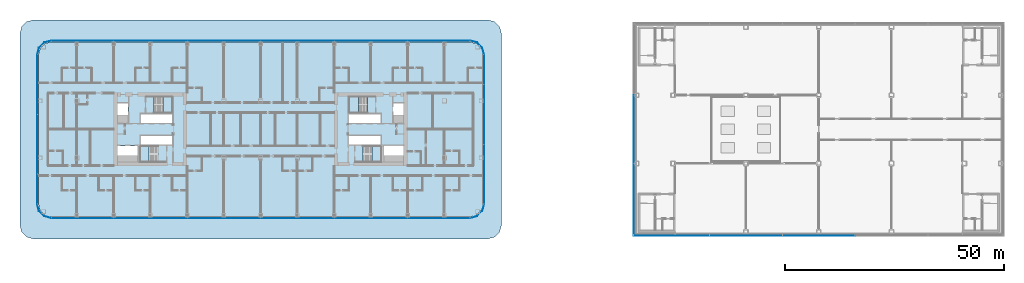
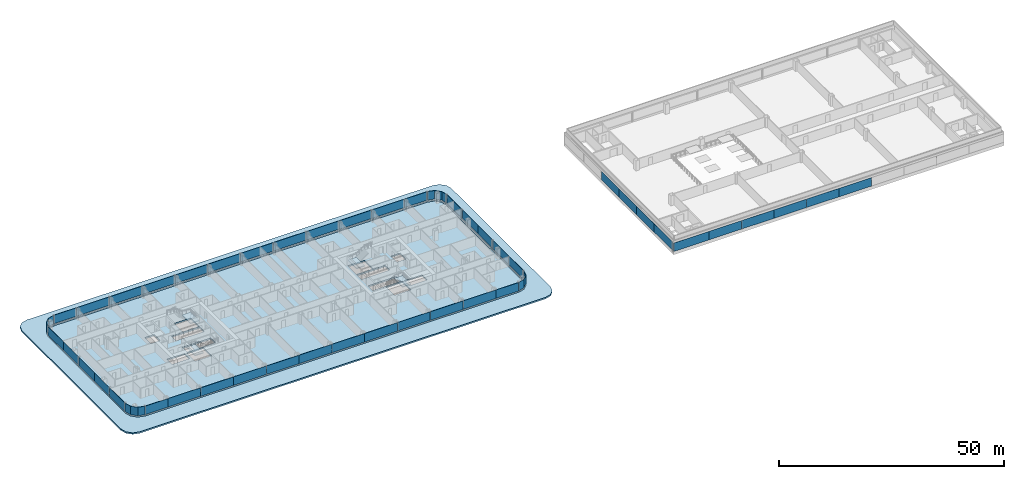
# One storey, part 19 of 42: 48 plates, 6 slabs, 14 elements without a shape of their own.
"""IFC4 building model written with IfcOpenShell, lengths in metres."""

from ifc_helpers import new_model, si_unit, direction, frame, origin, origin_2d, place, context, subcontext, project, spatial, polyline, rectangle, outline, extrude, material, layer, layer_set, type_object, element, aggregate, save


model = new_model("IFC4")

# Units and contexts
model_context = context("Model", 3, precision=1e-05, world=origin(), true_north=direction((0.0, 1.0)))
body_context = subcontext(model_context, "Body", "Model", "MODEL_VIEW")
ifc_project = project(units=[si_unit("LENGTHUNIT", "METRE"), si_unit("AREAUNIT", "SQUARE_METRE"), si_unit("VOLUMEUNIT", "CUBIC_METRE"), si_unit("PLANEANGLEUNIT", "RADIAN"), si_unit("MASSUNIT", "GRAM", prefix="KILO")], contexts=[model_context])

# Site, building, storey
site_placement = place(None, origin())
site = spatial("IfcSite", under=ifc_project, at=site_placement, CompositionType="ELEMENT")
building_placement = place(site_placement, origin())
building = spatial("IfcBuilding", under=site, at=building_placement, Name="Hakoniwa Tower and Hamabe Station Hall", CompositionType="ELEMENT")
storey_placement = place(building_placement, frame((0.0, 0.0, 19.800048828125)))
storey = spatial("IfcBuildingStorey", under=building, at=storey_placement, Name="L04", CompositionType="ELEMENT", Elevation=19.800048828125)

# Stair, slab
ifc_material_1 = material(Name="Concrete C40", Category="concrete")
stair_type = type_object("IfcStairType", Name="ESCAPE STAIR 1800", PredefinedType="HALF_TURN_STAIR", material=ifc_material_1)
stair_1_placement = place(storey_placement, origin())
stair_1 = element("IfcStair", 1, at=stair_1_placement, inside=storey, type_object=stair_type, Name="Escape stair ST-1 L04", PredefinedType="HALF_TURN_STAIR")
ifc_material_2 = material(Name="Concrete C40", Category="concrete")
ifc_layer_1 = layer(ifc_material_2, 0.25)
ifc_layer_set_1 = layer_set([ifc_layer_1], Name="CORE STAIR LANDING 250")
slab_type_1 = type_object("IfcSlabType", Name="CORE STAIR LANDING 250", PredefinedType="LANDING", material=ifc_layer_set_1)
slab_1_placement = place(storey_placement, frame((0.0, 0.0, 1.349853515625)))
slab_1 = element("IfcSlab", 2, at=slab_1_placement, type_object=slab_type_1, Name="ST-1 landing 1", PredefinedType="LANDING", context=body_context, shape_type="SweptSolid", body=[
    extrude(outline(polyline([(-22.320068359375, 3.75), (-20.14990234375, 3.75), (-20.14990234375, 7.5), (-22.320068359375, 7.5), (-22.320068359375, 3.75)])), origin(), (0.0, 0.0, 1.0), 0.25),
])
aggregate(stair_1, [slab_1])

stair_2_placement = place(storey_placement, origin())
stair_2 = element("IfcStair", 3, at=stair_2_placement, inside=storey, type_object=stair_type, Name="Escape stair ST-2 L04", PredefinedType="HALF_TURN_STAIR")
slab_2_placement = place(storey_placement, frame((0.0, 0.0, 1.349853515625)))
slab_2 = element("IfcSlab", 4, at=slab_2_placement, type_object=slab_type_1, Name="ST-2 landing 1", PredefinedType="LANDING", context=body_context, shape_type="SweptSolid", body=[
    extrude(outline(polyline([(-25.47998046875, -7.5), (-27.64990234375, -7.5), (-27.64990234375, -3.75), (-25.47998046875, -3.75), (-25.47998046875, -7.5)])), origin(), (0.0, 0.0, 1.0), 0.25),
])
aggregate(stair_2, [slab_2])

stair_3_placement = place(storey_placement, origin())
stair_3 = element("IfcStair", 5, at=stair_3_placement, inside=storey, type_object=stair_type, Name="Escape stair ST-3 L04", PredefinedType="HALF_TURN_STAIR")
slab_3_placement = place(storey_placement, frame((0.0, 0.0, 1.349853515625)))
slab_3 = element("IfcSlab", 6, at=slab_3_placement, type_object=slab_type_1, Name="ST-3 landing 1", PredefinedType="LANDING", context=body_context, shape_type="SweptSolid", body=[
    extrude(outline(polyline([(22.320068359375, 3.75), (20.14990234375, 3.75), (20.14990234375, 7.5), (22.320068359375, 7.5), (22.320068359375, 3.75)])), origin(), (0.0, 0.0, 1.0), 0.25),
])
aggregate(stair_3, [slab_3])

stair_4_placement = place(storey_placement, origin())
stair_4 = element("IfcStair", 7, at=stair_4_placement, inside=storey, type_object=stair_type, Name="Escape stair ST-4 L04", PredefinedType="HALF_TURN_STAIR")
slab_4_placement = place(storey_placement, frame((0.0, 0.0, 1.349853515625)))
slab_4 = element("IfcSlab", 8, at=slab_4_placement, type_object=slab_type_1, Name="ST-4 landing 1", PredefinedType="LANDING", context=body_context, shape_type="SweptSolid", body=[
    extrude(outline(polyline([(25.47998046875, -7.5), (27.64990234375, -7.5), (27.64990234375, -3.75), (25.47998046875, -3.75), (25.47998046875, -7.5)])), origin(), (0.0, 0.0, 1.0), 0.25),
])
aggregate(stair_4, [slab_4])

# Curtain wall, plates
ifc_material_3 = material(Name="Dark low-e laminated glass", Category="glass")
ifc_layer_2 = layer(ifc_material_3, 0.199951171875)
ifc_layer_set_2 = layer_set([ifc_layer_2], Name="CW-1 UNITISED GUEST")
curtain_wall_type_1 = type_object("IfcCurtainWallType", Name="CW-1 UNITISED GUEST", PredefinedType="NOTDEFINED", material=ifc_layer_set_2)
curtain_wall_1_placement = place(storey_placement, origin())
curtain_wall_1 = element("IfcCurtainWall", 9, at=curtain_wall_1_placement, inside=storey, type_object=curtain_wall_type_1, Name="CW-1 curtain wall", PredefinedType="NOTDEFINED")
ifc_material_4 = material(Name="Dark low-e laminated glass", Category="glass")
ifc_layer_3 = layer(ifc_material_4, 0.028076171875)
ifc_layer_set_3 = layer_set([ifc_layer_3], Name="CW-1 GLASS UNIT")
plate_type_1 = type_object("IfcPlateType", Name="CW-1 GLASS UNIT", PredefinedType="CURTAIN_PANEL", material=ifc_layer_set_3)
plate_1_placement = place(storey_placement, frame((51.0859375, -13.631591796875, 0.35009765625), z_axis=(0.0, 0.0, 1.0), x_axis=(0.0, 1.0, 0.0)))
plate_1 = element("IfcPlate", 10, at=plate_1_placement, type_object=plate_type_1, Name="CW-1 glass unit", PredefinedType="CURTAIN_PANEL", context=body_context, shape_type="SweptSolid", body=[
    extrude(rectangle(XDim=6.7958984375, YDim=0.028076171875, at=origin_2d()), origin(), (0.0, 0.0, 1.0), 2.300048828125),
])
plate_2_placement = place(storey_placement, frame((51.0859375, -6.81591796875, 0.35009765625), z_axis=(0.0, 0.0, 1.0), x_axis=(0.0, 1.0, 0.0)))
plate_2 = element("IfcPlate", 11, at=plate_2_placement, type_object=plate_type_1, Name="CW-1 glass unit", PredefinedType="CURTAIN_PANEL", context=body_context, shape_type="SweptSolid", body=[
    extrude(rectangle(XDim=6.7958984375, YDim=0.028076171875, at=origin_2d()), origin(), (0.0, 0.0, 1.0), 2.300048828125),
])
plate_3_placement = place(storey_placement, frame((51.0859375, 0.0, 0.35009765625), z_axis=(0.0, 0.0, 1.0), x_axis=(0.0, 1.0, 0.0)))
plate_3 = element("IfcPlate", 12, at=plate_3_placement, type_object=plate_type_1, Name="CW-1 glass unit", PredefinedType="CURTAIN_PANEL", context=body_context, shape_type="SweptSolid", body=[
    extrude(rectangle(XDim=6.7958984375, YDim=0.028076171875, at=origin_2d()), origin(), (0.0, 0.0, 1.0), 2.300048828125),
])
plate_4_placement = place(storey_placement, frame((51.0859375, 6.81591796875, 0.35009765625), z_axis=(0.0, 0.0, 1.0), x_axis=(0.0, 1.0, 0.0)))
plate_4 = element("IfcPlate", 13, at=plate_4_placement, type_object=plate_type_1, Name="CW-1 glass unit", PredefinedType="CURTAIN_PANEL", context=body_context, shape_type="SweptSolid", body=[
    extrude(rectangle(XDim=6.7958984375, YDim=0.028076171875, at=origin_2d()), origin(), (0.0, 0.0, 1.0), 2.300048828125),
])
plate_5_placement = place(storey_placement, frame((51.0859375, 13.631591796875, 0.35009765625), z_axis=(0.0, 0.0, 1.0), x_axis=(0.0, 1.0, 0.0)))
plate_5 = element("IfcPlate", 14, at=plate_5_placement, type_object=plate_type_1, Name="CW-1 glass unit", PredefinedType="CURTAIN_PANEL", context=body_context, shape_type="SweptSolid", body=[
    extrude(rectangle(XDim=6.7958984375, YDim=0.028076171875, at=origin_2d()), origin(), (0.0, 0.0, 1.0), 2.300048828125),
])
aggregate(curtain_wall_1, [plate_1, plate_2, plate_3, plate_4, plate_5])

# Curtain wall, plate
curtain_wall_2_placement = place(storey_placement, origin())
curtain_wall_2 = element("IfcCurtainWall", 15, at=curtain_wall_2_placement, inside=storey, type_object=curtain_wall_type_1, Name="CW-1 curtain wall", PredefinedType="NOTDEFINED")
plate_6_placement = place(storey_placement, frame((0.0, 0.0, 0.349853515625)))
plate_6 = element("IfcPlate", 16, at=plate_6_placement, type_object=plate_type_1, Name="CW-1 curved corner unit", PredefinedType="CURTAIN_PANEL", context=body_context, shape_type="SweptSolid", body=[
    extrude(outline(polyline([(51.089599609375, 17.078125), (50.6669921875, 18.6552734375), (49.455322265625, 19.866943359375), (47.878173828125, 20.28955078125), (47.870849609375, 20.2626953125), (49.44091796875, 19.842041015625), (50.641845703125, 18.640869140625), (51.0625, 17.07080078125), (51.089599609375, 17.078125)])), origin(), (0.0, 0.0, 1.0), 2.300048828125),
])
aggregate(curtain_wall_2, [plate_6])

# Curtain wall, plates
curtain_wall_3_placement = place(storey_placement, origin())
curtain_wall_3 = element("IfcCurtainWall", 17, at=curtain_wall_3_placement, inside=storey, type_object=curtain_wall_type_1, Name="CW-1 curtain wall", PredefinedType="NOTDEFINED")
plate_7_placement = place(storey_placement, frame((44.919677734375, 20.285888671875, 0.35009765625), z_axis=(0.0, 0.0, 1.0), x_axis=(-1.0, 0.0, 0.0)))
plate_7 = element("IfcPlate", 18, at=plate_7_placement, type_object=plate_type_1, Name="CW-1 glass unit", PredefinedType="CURTAIN_PANEL", context=body_context, shape_type="SweptSolid", body=[
    extrude(rectangle(XDim=5.819580078125, YDim=0.028076171875, at=origin_2d()), origin(), (0.0, 0.0, 1.0), 2.300048828125),
])
plate_8_placement = place(storey_placement, frame((37.800048828125, 20.285888671875, 0.35009765625), z_axis=(0.0, 0.0, 1.0), x_axis=(-1.0, 0.0, 0.0)))
plate_8 = element("IfcPlate", 19, at=plate_8_placement, type_object=plate_type_1, Name="CW-1 glass unit", PredefinedType="CURTAIN_PANEL", context=body_context, shape_type="SweptSolid", body=[
    extrude(rectangle(XDim=8.3798828125, YDim=0.028076171875, at=origin_2d()), origin(), (0.0, 0.0, 1.0), 2.300048828125),
])
plate_9_placement = place(storey_placement, frame((29.39990234375, 20.285888671875, 0.35009765625), z_axis=(0.0, 0.0, 1.0), x_axis=(-1.0, 0.0, 0.0)))
plate_9 = element("IfcPlate", 20, at=plate_9_placement, type_object=plate_type_1, Name="CW-1 glass unit", PredefinedType="CURTAIN_PANEL", context=body_context, shape_type="SweptSolid", body=[
    extrude(rectangle(XDim=8.3798828125, YDim=0.028076171875, at=origin_2d()), origin(), (0.0, 0.0, 1.0), 2.300048828125),
])
plate_10_placement = place(storey_placement, frame((21.0, 20.285888671875, 0.35009765625), z_axis=(0.0, 0.0, 1.0), x_axis=(-1.0, 0.0, 0.0)))
plate_10 = element("IfcPlate", 21, at=plate_10_placement, type_object=plate_type_1, Name="CW-1 glass unit", PredefinedType="CURTAIN_PANEL", context=body_context, shape_type="SweptSolid", body=[
    extrude(rectangle(XDim=8.3798828125, YDim=0.028076171875, at=origin_2d()), origin(), (0.0, 0.0, 1.0), 2.300048828125),
])
plate_11_placement = place(storey_placement, frame((12.60009765625, 20.285888671875, 0.35009765625), z_axis=(0.0, 0.0, 1.0), x_axis=(-1.0, 0.0, 0.0)))
plate_11 = element("IfcPlate", 22, at=plate_11_placement, type_object=plate_type_1, Name="CW-1 glass unit", PredefinedType="CURTAIN_PANEL", context=body_context, shape_type="SweptSolid", body=[
    extrude(rectangle(XDim=8.3798828125, YDim=0.028076171875, at=origin_2d()), origin(), (0.0, 0.0, 1.0), 2.300048828125),
])
plate_12_placement = place(storey_placement, frame((4.199951171875, 20.285888671875, 0.35009765625), z_axis=(0.0, 0.0, 1.0), x_axis=(-1.0, 0.0, 0.0)))
plate_12 = element("IfcPlate", 23, at=plate_12_placement, type_object=plate_type_1, Name="CW-1 glass unit", PredefinedType="CURTAIN_PANEL", context=body_context, shape_type="SweptSolid", body=[
    extrude(rectangle(XDim=8.3798828125, YDim=0.028076171875, at=origin_2d()), origin(), (0.0, 0.0, 1.0), 2.300048828125),
])
plate_13_placement = place(storey_placement, frame((-4.199951171875, 20.285888671875, 0.35009765625), z_axis=(0.0, 0.0, 1.0), x_axis=(-1.0, 0.0, 0.0)))
plate_13 = element("IfcPlate", 24, at=plate_13_placement, type_object=plate_type_1, Name="CW-1 glass unit", PredefinedType="CURTAIN_PANEL", context=body_context, shape_type="SweptSolid", body=[
    extrude(rectangle(XDim=8.3798828125, YDim=0.028076171875, at=origin_2d()), origin(), (0.0, 0.0, 1.0), 2.300048828125),
])
plate_14_placement = place(storey_placement, frame((-12.60009765625, 20.285888671875, 0.35009765625), z_axis=(0.0, 0.0, 1.0), x_axis=(-1.0, 0.0, 0.0)))
plate_14 = element("IfcPlate", 25, at=plate_14_placement, type_object=plate_type_1, Name="CW-1 glass unit", PredefinedType="CURTAIN_PANEL", context=body_context, shape_type="SweptSolid", body=[
    extrude(rectangle(XDim=8.3798828125, YDim=0.028076171875, at=origin_2d()), origin(), (0.0, 0.0, 1.0), 2.300048828125),
])
plate_15_placement = place(storey_placement, frame((-21.0, 20.285888671875, 0.35009765625), z_axis=(0.0, 0.0, 1.0), x_axis=(-1.0, 0.0, 0.0)))
plate_15 = element("IfcPlate", 26, at=plate_15_placement, type_object=plate_type_1, Name="CW-1 glass unit", PredefinedType="CURTAIN_PANEL", context=body_context, shape_type="SweptSolid", body=[
    extrude(rectangle(XDim=8.3798828125, YDim=0.028076171875, at=origin_2d()), origin(), (0.0, 0.0, 1.0), 2.300048828125),
])
plate_16_placement = place(storey_placement, frame((-29.39990234375, 20.285888671875, 0.35009765625), z_axis=(0.0, 0.0, 1.0), x_axis=(-1.0, 0.0, 0.0)))
plate_16 = element("IfcPlate", 27, at=plate_16_placement, type_object=plate_type_1, Name="CW-1 glass unit", PredefinedType="CURTAIN_PANEL", context=body_context, shape_type="SweptSolid", body=[
    extrude(rectangle(XDim=8.3798828125, YDim=0.028076171875, at=origin_2d()), origin(), (0.0, 0.0, 1.0), 2.300048828125),
])
plate_17_placement = place(storey_placement, frame((-37.800048828125, 20.285888671875, 0.35009765625), z_axis=(0.0, 0.0, 1.0), x_axis=(-1.0, 0.0, 0.0)))
plate_17 = element("IfcPlate", 28, at=plate_17_placement, type_object=plate_type_1, Name="CW-1 glass unit", PredefinedType="CURTAIN_PANEL", context=body_context, shape_type="SweptSolid", body=[
    extrude(rectangle(XDim=8.3798828125, YDim=0.028076171875, at=origin_2d()), origin(), (0.0, 0.0, 1.0), 2.300048828125),
])
plate_18_placement = place(storey_placement, frame((-44.919677734375, 20.285888671875, 0.35009765625), z_axis=(0.0, 0.0, 1.0), x_axis=(-1.0, 0.0, 0.0)))
plate_18 = element("IfcPlate", 29, at=plate_18_placement, type_object=plate_type_1, Name="CW-1 glass unit", PredefinedType="CURTAIN_PANEL", context=body_context, shape_type="SweptSolid", body=[
    extrude(rectangle(XDim=5.819580078125, YDim=0.028076171875, at=origin_2d()), origin(), (0.0, 0.0, 1.0), 2.300048828125),
])
aggregate(curtain_wall_3, [plate_7, plate_8, plate_9, plate_10, plate_11, plate_12, plate_13, plate_14, plate_15, plate_16, plate_17, plate_18])

# Curtain wall, plate
curtain_wall_4_placement = place(storey_placement, origin())
curtain_wall_4 = element("IfcCurtainWall", 30, at=curtain_wall_4_placement, inside=storey, type_object=curtain_wall_type_1, Name="CW-1 curtain wall", PredefinedType="NOTDEFINED")
plate_19_placement = place(storey_placement, frame((0.0, 0.0, 0.349853515625)))
plate_19 = element("IfcPlate", 31, at=plate_19_placement, type_object=plate_type_1, Name="CW-1 curved corner unit", PredefinedType="CURTAIN_PANEL", context=body_context, shape_type="SweptSolid", body=[
    extrude(outline(polyline([(-47.878173828125, 20.28955078125), (-49.455322265625, 19.866943359375), (-50.6669921875, 18.6552734375), (-51.089599609375, 17.078125), (-51.0625, 17.07080078125), (-50.641845703125, 18.640869140625), (-49.44091796875, 19.842041015625), (-47.870849609375, 20.2626953125), (-47.878173828125, 20.28955078125)])), origin(), (0.0, 0.0, 1.0), 2.300048828125),
])
aggregate(curtain_wall_4, [plate_19])

# Curtain wall, plates
curtain_wall_5_placement = place(storey_placement, origin())
curtain_wall_5 = element("IfcCurtainWall", 32, at=curtain_wall_5_placement, inside=storey, type_object=curtain_wall_type_1, Name="CW-1 curtain wall", PredefinedType="NOTDEFINED")
plate_20_placement = place(storey_placement, frame((-51.0859375, 13.631591796875, 0.35009765625), z_axis=(0.0, 0.0, 1.0), x_axis=(0.0, -1.0, 0.0)))
plate_20 = element("IfcPlate", 33, at=plate_20_placement, type_object=plate_type_1, Name="CW-1 glass unit", PredefinedType="CURTAIN_PANEL", context=body_context, shape_type="SweptSolid", body=[
    extrude(rectangle(XDim=6.7958984375, YDim=0.028076171875, at=origin_2d()), origin(), (0.0, 0.0, 1.0), 2.300048828125),
])
plate_21_placement = place(storey_placement, frame((-51.0859375, 6.81591796875, 0.35009765625), z_axis=(0.0, 0.0, 1.0), x_axis=(0.0, -1.0, 0.0)))
plate_21 = element("IfcPlate", 34, at=plate_21_placement, type_object=plate_type_1, Name="CW-1 glass unit", PredefinedType="CURTAIN_PANEL", context=body_context, shape_type="SweptSolid", body=[
    extrude(rectangle(XDim=6.7958984375, YDim=0.028076171875, at=origin_2d()), origin(), (0.0, 0.0, 1.0), 2.300048828125),
])
plate_22_placement = place(storey_placement, frame((-51.0859375, 0.0, 0.35009765625), z_axis=(0.0, 0.0, 1.0), x_axis=(0.0, -1.0, 0.0)))
plate_22 = element("IfcPlate", 35, at=plate_22_placement, type_object=plate_type_1, Name="CW-1 glass unit", PredefinedType="CURTAIN_PANEL", context=body_context, shape_type="SweptSolid", body=[
    extrude(rectangle(XDim=6.7958984375, YDim=0.028076171875, at=origin_2d()), origin(), (0.0, 0.0, 1.0), 2.300048828125),
])
plate_23_placement = place(storey_placement, frame((-51.0859375, -6.81591796875, 0.35009765625), z_axis=(0.0, 0.0, 1.0), x_axis=(0.0, -1.0, 0.0)))
plate_23 = element("IfcPlate", 36, at=plate_23_placement, type_object=plate_type_1, Name="CW-1 glass unit", PredefinedType="CURTAIN_PANEL", context=body_context, shape_type="SweptSolid", body=[
    extrude(rectangle(XDim=6.7958984375, YDim=0.028076171875, at=origin_2d()), origin(), (0.0, 0.0, 1.0), 2.300048828125),
])
plate_24_placement = place(storey_placement, frame((-51.0859375, -13.631591796875, 0.35009765625), z_axis=(0.0, 0.0, 1.0), x_axis=(0.0, -1.0, 0.0)))
plate_24 = element("IfcPlate", 37, at=plate_24_placement, type_object=plate_type_1, Name="CW-1 glass unit", PredefinedType="CURTAIN_PANEL", context=body_context, shape_type="SweptSolid", body=[
    extrude(rectangle(XDim=6.7958984375, YDim=0.028076171875, at=origin_2d()), origin(), (0.0, 0.0, 1.0), 2.300048828125),
])
aggregate(curtain_wall_5, [plate_20, plate_21, plate_22, plate_23, plate_24])

# Curtain wall, plate
curtain_wall_6_placement = place(storey_placement, origin())
curtain_wall_6 = element("IfcCurtainWall", 38, at=curtain_wall_6_placement, inside=storey, type_object=curtain_wall_type_1, Name="CW-1 curtain wall", PredefinedType="NOTDEFINED")
plate_25_placement = place(storey_placement, frame((0.0, 0.0, 0.349853515625)))
plate_25 = element("IfcPlate", 39, at=plate_25_placement, type_object=plate_type_1, Name="CW-1 curved corner unit", PredefinedType="CURTAIN_PANEL", context=body_context, shape_type="SweptSolid", body=[
    extrude(outline(polyline([(-51.089599609375, -17.078125), (-50.6669921875, -18.6552734375), (-49.455322265625, -19.866943359375), (-47.878173828125, -20.28955078125), (-47.870849609375, -20.2626953125), (-49.44091796875, -19.842041015625), (-50.641845703125, -18.640869140625), (-51.0625, -17.07080078125), (-51.089599609375, -17.078125)])), origin(), (0.0, 0.0, 1.0), 2.300048828125),
])
aggregate(curtain_wall_6, [plate_25])

# Curtain wall, plates
curtain_wall_7_placement = place(storey_placement, origin())
curtain_wall_7 = element("IfcCurtainWall", 40, at=curtain_wall_7_placement, inside=storey, type_object=curtain_wall_type_1, Name="CW-1 curtain wall", PredefinedType="NOTDEFINED")
plate_26_placement = place(storey_placement, frame((-44.919677734375, -20.285888671875, 0.35009765625), z_axis=(0.0, 0.0, 1.0), x_axis=(1.0, 0.0, 0.0)))
plate_26 = element("IfcPlate", 41, at=plate_26_placement, type_object=plate_type_1, Name="CW-1 glass unit", PredefinedType="CURTAIN_PANEL", context=body_context, shape_type="SweptSolid", body=[
    extrude(rectangle(XDim=5.819580078125, YDim=0.028076171875, at=origin_2d()), origin(), (0.0, 0.0, 1.0), 2.300048828125),
])
plate_27_placement = place(storey_placement, frame((-37.800048828125, -20.285888671875, 0.35009765625), z_axis=(0.0, 0.0, 1.0), x_axis=(1.0, 0.0, 0.0)))
plate_27 = element("IfcPlate", 42, at=plate_27_placement, type_object=plate_type_1, Name="CW-1 glass unit", PredefinedType="CURTAIN_PANEL", context=body_context, shape_type="SweptSolid", body=[
    extrude(rectangle(XDim=8.3798828125, YDim=0.028076171875, at=origin_2d()), origin(), (0.0, 0.0, 1.0), 2.300048828125),
])
plate_28_placement = place(storey_placement, frame((-29.39990234375, -20.285888671875, 0.35009765625), z_axis=(0.0, 0.0, 1.0), x_axis=(1.0, 0.0, 0.0)))
plate_28 = element("IfcPlate", 43, at=plate_28_placement, type_object=plate_type_1, Name="CW-1 glass unit", PredefinedType="CURTAIN_PANEL", context=body_context, shape_type="SweptSolid", body=[
    extrude(rectangle(XDim=8.3798828125, YDim=0.028076171875, at=origin_2d()), origin(), (0.0, 0.0, 1.0), 2.300048828125),
])
plate_29_placement = place(storey_placement, frame((-21.0, -20.285888671875, 0.35009765625), z_axis=(0.0, 0.0, 1.0), x_axis=(1.0, 0.0, 0.0)))
plate_29 = element("IfcPlate", 44, at=plate_29_placement, type_object=plate_type_1, Name="CW-1 glass unit", PredefinedType="CURTAIN_PANEL", context=body_context, shape_type="SweptSolid", body=[
    extrude(rectangle(XDim=8.3798828125, YDim=0.028076171875, at=origin_2d()), origin(), (0.0, 0.0, 1.0), 2.300048828125),
])
plate_30_placement = place(storey_placement, frame((-12.60009765625, -20.285888671875, 0.35009765625), z_axis=(0.0, 0.0, 1.0), x_axis=(1.0, 0.0, 0.0)))
plate_30 = element("IfcPlate", 45, at=plate_30_placement, type_object=plate_type_1, Name="CW-1 glass unit", PredefinedType="CURTAIN_PANEL", context=body_context, shape_type="SweptSolid", body=[
    extrude(rectangle(XDim=8.3798828125, YDim=0.028076171875, at=origin_2d()), origin(), (0.0, 0.0, 1.0), 2.300048828125),
])
plate_31_placement = place(storey_placement, frame((-4.199951171875, -20.285888671875, 0.35009765625), z_axis=(0.0, 0.0, 1.0), x_axis=(1.0, 0.0, 0.0)))
plate_31 = element("IfcPlate", 46, at=plate_31_placement, type_object=plate_type_1, Name="CW-1 glass unit", PredefinedType="CURTAIN_PANEL", context=body_context, shape_type="SweptSolid", body=[
    extrude(rectangle(XDim=8.3798828125, YDim=0.028076171875, at=origin_2d()), origin(), (0.0, 0.0, 1.0), 2.300048828125),
])
plate_32_placement = place(storey_placement, frame((4.199951171875, -20.285888671875, 0.35009765625), z_axis=(0.0, 0.0, 1.0), x_axis=(1.0, 0.0, 0.0)))
plate_32 = element("IfcPlate", 47, at=plate_32_placement, type_object=plate_type_1, Name="CW-1 glass unit", PredefinedType="CURTAIN_PANEL", context=body_context, shape_type="SweptSolid", body=[
    extrude(rectangle(XDim=8.3798828125, YDim=0.028076171875, at=origin_2d()), origin(), (0.0, 0.0, 1.0), 2.300048828125),
])
plate_33_placement = place(storey_placement, frame((12.60009765625, -20.285888671875, 0.35009765625), z_axis=(0.0, 0.0, 1.0), x_axis=(1.0, 0.0, 0.0)))
plate_33 = element("IfcPlate", 48, at=plate_33_placement, type_object=plate_type_1, Name="CW-1 glass unit", PredefinedType="CURTAIN_PANEL", context=body_context, shape_type="SweptSolid", body=[
    extrude(rectangle(XDim=8.3798828125, YDim=0.028076171875, at=origin_2d()), origin(), (0.0, 0.0, 1.0), 2.300048828125),
])
plate_34_placement = place(storey_placement, frame((21.0, -20.285888671875, 0.35009765625), z_axis=(0.0, 0.0, 1.0), x_axis=(1.0, 0.0, 0.0)))
plate_34 = element("IfcPlate", 49, at=plate_34_placement, type_object=plate_type_1, Name="CW-1 glass unit", PredefinedType="CURTAIN_PANEL", context=body_context, shape_type="SweptSolid", body=[
    extrude(rectangle(XDim=8.3798828125, YDim=0.028076171875, at=origin_2d()), origin(), (0.0, 0.0, 1.0), 2.300048828125),
])
plate_35_placement = place(storey_placement, frame((29.39990234375, -20.285888671875, 0.35009765625), z_axis=(0.0, 0.0, 1.0), x_axis=(1.0, 0.0, 0.0)))
plate_35 = element("IfcPlate", 50, at=plate_35_placement, type_object=plate_type_1, Name="CW-1 glass unit", PredefinedType="CURTAIN_PANEL", context=body_context, shape_type="SweptSolid", body=[
    extrude(rectangle(XDim=8.3798828125, YDim=0.028076171875, at=origin_2d()), origin(), (0.0, 0.0, 1.0), 2.300048828125),
])
plate_36_placement = place(storey_placement, frame((37.800048828125, -20.285888671875, 0.35009765625), z_axis=(0.0, 0.0, 1.0), x_axis=(1.0, 0.0, 0.0)))
plate_36 = element("IfcPlate", 51, at=plate_36_placement, type_object=plate_type_1, Name="CW-1 glass unit", PredefinedType="CURTAIN_PANEL", context=body_context, shape_type="SweptSolid", body=[
    extrude(rectangle(XDim=8.3798828125, YDim=0.028076171875, at=origin_2d()), origin(), (0.0, 0.0, 1.0), 2.300048828125),
])
plate_37_placement = place(storey_placement, frame((44.919677734375, -20.285888671875, 0.35009765625), z_axis=(0.0, 0.0, 1.0), x_axis=(1.0, 0.0, 0.0)))
plate_37 = element("IfcPlate", 52, at=plate_37_placement, type_object=plate_type_1, Name="CW-1 glass unit", PredefinedType="CURTAIN_PANEL", context=body_context, shape_type="SweptSolid", body=[
    extrude(rectangle(XDim=5.819580078125, YDim=0.028076171875, at=origin_2d()), origin(), (0.0, 0.0, 1.0), 2.300048828125),
])
aggregate(curtain_wall_7, [plate_26, plate_27, plate_28, plate_29, plate_30, plate_31, plate_32, plate_33, plate_34, plate_35, plate_36, plate_37])

# Curtain wall, plate
curtain_wall_8_placement = place(storey_placement, origin())
curtain_wall_8 = element("IfcCurtainWall", 53, at=curtain_wall_8_placement, inside=storey, type_object=curtain_wall_type_1, Name="CW-1 curtain wall", PredefinedType="NOTDEFINED")
plate_38_placement = place(storey_placement, frame((0.0, 0.0, 0.349853515625)))
plate_38 = element("IfcPlate", 54, at=plate_38_placement, type_object=plate_type_1, Name="CW-1 curved corner unit", PredefinedType="CURTAIN_PANEL", context=body_context, shape_type="SweptSolid", body=[
    extrude(outline(polyline([(47.878173828125, -20.28955078125), (49.455322265625, -19.866943359375), (50.6669921875, -18.6552734375), (51.089599609375, -17.078125), (51.0625, -17.07080078125), (50.641845703125, -18.640869140625), (49.44091796875, -19.842041015625), (47.870849609375, -20.2626953125), (47.878173828125, -20.28955078125)])), origin(), (0.0, 0.0, 1.0), 2.300048828125),
])
aggregate(curtain_wall_8, [plate_38])

# Curtain wall, plates
ifc_material_5 = material(Name="Dark low-e laminated glass", Category="glass")
ifc_layer_4 = layer(ifc_material_5, 0.199951171875)
ifc_layer_set_4 = layer_set([ifc_layer_4], Name="CW-7 STATION")
curtain_wall_type_2 = type_object("IfcCurtainWallType", Name="CW-7 STATION", PredefinedType="NOTDEFINED", material=ifc_layer_set_4)
curtain_wall_9_placement = place(storey_placement, origin())
curtain_wall_9 = element("IfcCurtainWall", 55, at=curtain_wall_9_placement, inside=storey, type_object=curtain_wall_type_2, Name="Station curtain wall L04 south", PredefinedType="NOTDEFINED")
ifc_material_6 = material(Name="Dark low-e laminated glass", Category="glass")
ifc_layer_5 = layer(ifc_material_6, 0.0400390625)
ifc_layer_set_5 = layer_set([ifc_layer_5], Name="CW-7 STATION GLASS UNIT")
plate_type_2 = type_object("IfcPlateType", Name="CW-7 STATION GLASS UNIT", PredefinedType="CURTAIN_PANEL", material=ifc_layer_set_5)
plate_39_placement = place(storey_placement, frame((89.760009765625, -24.285888671875, 0.35009765625), z_axis=(0.0, 0.0, 1.0), x_axis=(1.0, 0.0, 0.0)))
plate_39 = element("IfcPlate", 56, at=plate_39_placement, type_object=plate_type_2, Name="CW-7 glass unit", PredefinedType="CURTAIN_PANEL", context=body_context, shape_type="SweptSolid", body=[
    extrude(rectangle(XDim=9.0, YDim=0.0400390625, at=origin_2d()), origin(), (0.0, 0.0, 1.0), 2.300048828125),
])
plate_40_placement = place(storey_placement, frame((98.429931640625, -24.285888671875, 0.35009765625), z_axis=(0.0, 0.0, 1.0), x_axis=(1.0, 0.0, 0.0)))
plate_40 = element("IfcPlate", 57, at=plate_40_placement, type_object=plate_type_2, Name="CW-7 glass unit", PredefinedType="CURTAIN_PANEL", context=body_context, shape_type="SweptSolid", body=[
    extrude(rectangle(XDim=8.300048828125, YDim=0.0400390625, at=origin_2d()), origin(), (0.0, 0.0, 1.0), 2.300048828125),
])
plate_41_placement = place(storey_placement, frame((106.75, -24.285888671875, 0.35009765625), z_axis=(0.0, 0.0, 1.0), x_axis=(1.0, 0.0, 0.0)))
plate_41 = element("IfcPlate", 58, at=plate_41_placement, type_object=plate_type_2, Name="CW-7 glass unit", PredefinedType="CURTAIN_PANEL", context=body_context, shape_type="SweptSolid", body=[
    extrude(rectangle(XDim=8.300048828125, YDim=0.0400390625, at=origin_2d()), origin(), (0.0, 0.0, 1.0), 2.300048828125),
])
plate_42_placement = place(storey_placement, frame((115.070068359375, -24.285888671875, 0.35009765625), z_axis=(0.0, 0.0, 1.0), x_axis=(1.0, 0.0, 0.0)))
plate_42 = element("IfcPlate", 59, at=plate_42_placement, type_object=plate_type_2, Name="CW-7 glass unit", PredefinedType="CURTAIN_PANEL", context=body_context, shape_type="SweptSolid", body=[
    extrude(rectangle(XDim=8.300048828125, YDim=0.0400390625, at=origin_2d()), origin(), (0.0, 0.0, 1.0), 2.300048828125),
])
plate_43_placement = place(storey_placement, frame((123.389892578125, -24.285888671875, 0.35009765625), z_axis=(0.0, 0.0, 1.0), x_axis=(1.0, 0.0, 0.0)))
plate_43 = element("IfcPlate", 60, at=plate_43_placement, type_object=plate_type_2, Name="CW-7 glass unit", PredefinedType="CURTAIN_PANEL", context=body_context, shape_type="SweptSolid", body=[
    extrude(rectangle(XDim=8.300048828125, YDim=0.0400390625, at=origin_2d()), origin(), (0.0, 0.0, 1.0), 2.300048828125),
])
plate_44_placement = place(storey_placement, frame((131.7099609375, -24.285888671875, 0.35009765625), z_axis=(0.0, 0.0, 1.0), x_axis=(1.0, 0.0, 0.0)))
plate_44 = element("IfcPlate", 61, at=plate_44_placement, type_object=plate_type_2, Name="CW-7 glass unit", PredefinedType="CURTAIN_PANEL", context=body_context, shape_type="SweptSolid", body=[
    extrude(rectangle(XDim=8.300048828125, YDim=0.0400390625, at=origin_2d()), origin(), (0.0, 0.0, 1.0), 2.300048828125),
])
aggregate(curtain_wall_9, [plate_39, plate_40, plate_41, plate_42, plate_43, plate_44])

curtain_wall_10_placement = place(storey_placement, origin())
curtain_wall_10 = element("IfcCurtainWall", 62, at=curtain_wall_10_placement, inside=storey, type_object=curtain_wall_type_2, Name="Station curtain wall L04 west", PredefinedType="NOTDEFINED")
plate_45_placement = place(storey_placement, frame((85.263916015625, 3.89990234375, 0.35009765625), z_axis=(0.0, 0.0, 1.0), x_axis=(0.0, -1.0, 0.0)))
plate_45 = element("IfcPlate", 63, at=plate_45_placement, type_object=plate_type_2, Name="CW-7 glass unit", PredefinedType="CURTAIN_PANEL", context=body_context, shape_type="SweptSolid", body=[
    extrude(rectangle(XDim=7.780029296875, YDim=0.0400390625, at=origin_2d()), origin(), (0.0, 0.0, 1.0), 2.300048828125),
])
plate_46_placement = place(storey_placement, frame((85.263916015625, -3.89990234375, 0.35009765625), z_axis=(0.0, 0.0, 1.0), x_axis=(0.0, -1.0, 0.0)))
plate_46 = element("IfcPlate", 64, at=plate_46_placement, type_object=plate_type_2, Name="CW-7 glass unit", PredefinedType="CURTAIN_PANEL", context=body_context, shape_type="SweptSolid", body=[
    extrude(rectangle(XDim=7.780029296875, YDim=0.0400390625, at=origin_2d()), origin(), (0.0, 0.0, 1.0), 2.300048828125),
])
plate_47_placement = place(storey_placement, frame((85.263916015625, -11.699951171875, 0.35009765625), z_axis=(0.0, 0.0, 1.0), x_axis=(0.0, -1.0, 0.0)))
plate_47 = element("IfcPlate", 65, at=plate_47_placement, type_object=plate_type_2, Name="CW-7 glass unit", PredefinedType="CURTAIN_PANEL", context=body_context, shape_type="SweptSolid", body=[
    extrude(rectangle(XDim=7.780029296875, YDim=0.0400390625, at=origin_2d()), origin(), (0.0, 0.0, 1.0), 2.300048828125),
])
plate_48_placement = place(storey_placement, frame((85.263916015625, -19.85009765625, 0.35009765625), z_axis=(0.0, 0.0, 1.0), x_axis=(0.0, -1.0, 0.0)))
plate_48 = element("IfcPlate", 66, at=plate_48_placement, type_object=plate_type_2, Name="CW-7 glass unit", PredefinedType="CURTAIN_PANEL", context=body_context, shape_type="SweptSolid", body=[
    extrude(rectangle(XDim=8.47998046875, YDim=0.0400390625, at=origin_2d()), origin(), (0.0, 0.0, 1.0), 2.300048828125),
])
aggregate(curtain_wall_10, [plate_45, plate_46, plate_47, plate_48])

# Slabs
ifc_material_7 = material(Name="Concrete C40", Category="concrete")
ifc_layer_6 = layer(ifc_material_7, 0.39990234375)
ifc_layer_set_6 = layer_set([ifc_layer_6], Name="PODIUM ROOF SLAB 400")
slab_type_2 = type_object("IfcSlabType", Name="PODIUM ROOF SLAB 400", PredefinedType="ROOF", material=ifc_layer_set_6)
slab_5_placement = place(storey_placement, frame((0.0, 0.0, -0.400146484375)))
element("IfcSlab", 67, at=slab_5_placement, inside=storey, type_object=slab_type_2, Name="Podium roof slab L04", PredefinedType="ROOF", context=body_context, shape_type="SweptSolid", body=[
    extrude(outline(polyline([(54.59814453125, -23.5), (55.0, -22.0), (55.0, 22.0), (54.59814453125, 23.5), (53.5, 24.59814453125), (52.0, 25.0), (-52.0, 25.0), (-53.5, 24.59814453125), (-54.59814453125, 23.5), (-55.0, 22.0), (-55.0, -22.0), (-54.59814453125, -23.5), (-53.5, -24.59814453125), (-52.0, -25.0), (52.0, -25.0), (53.5, -24.59814453125), (54.59814453125, -23.5)]), holes=[polyline([(51.10009765625, 17.03955078125), (51.10009765625, -17.03955078125), (50.6669921875, -18.6552734375), (49.455322265625, -19.866943359375), (47.839599609375, -20.300048828125), (-47.839599609375, -20.300048828125), (-49.455322265625, -19.866943359375), (-50.6669921875, -18.6552734375), (-51.10009765625, -17.03955078125), (-51.10009765625, 17.03955078125), (-50.6669921875, 18.6552734375), (-49.455322265625, 19.866943359375), (-47.839599609375, 20.300048828125), (47.839599609375, 20.300048828125), (49.455322265625, 19.866943359375), (50.6669921875, 18.6552734375), (51.10009765625, 17.03955078125)])]), origin(), (0.0, 0.0, 1.0), 0.400146484375),
])
ifc_material_8 = material(Name="Concrete C42", Category="concrete")
ifc_layer_7 = layer(ifc_material_8, 0.39990234375)
ifc_layer_set_7 = layer_set([ifc_layer_7], Name="PT FLAT PLATE 400")
slab_type_3 = type_object("IfcSlabType", Name="PT FLAT PLATE 400", PredefinedType="FLOOR", material=ifc_layer_set_7)
slab_6_placement = place(storey_placement, frame((0.0, 0.0, -0.400146484375)))
element("IfcSlab", 68, at=slab_6_placement, inside=storey, type_object=slab_type_3, Name="Floor slab L04", PredefinedType="FLOOR", context=body_context, shape_type="SweptSolid", body=[
    extrude(outline(polyline([(50.800048828125, -17.0), (50.800048828125, 17.0), (50.398193359375, 18.5), (49.300048828125, 19.59814453125), (47.800048828125, 20.0), (-47.800048828125, 20.0), (-49.300048828125, 19.59814453125), (-50.398193359375, 18.5), (-50.800048828125, 17.0), (-50.800048828125, -17.0), (-50.398193359375, -18.5), (-49.300048828125, -19.59814453125), (-47.800048828125, -20.0), (47.800048828125, -20.0), (49.300048828125, -19.59814453125), (50.398193359375, -18.5), (50.800048828125, -17.0)]), holes=[polyline([(-27.39990234375, 1.449951171875), (-27.39990234375, 3.5), (-20.14990234375, 3.5), (-20.14990234375, 1.449951171875), (-27.39990234375, 1.449951171875)]), polyline([(-27.39990234375, -3.5), (-27.39990234375, -1.449951171875), (-20.14990234375, -1.449951171875), (-20.14990234375, -3.5), (-27.39990234375, -3.5)]), polyline([(-32.699951171875, 3.300048828125), (-32.699951171875, 5.949951171875), (-30.300048828125, 5.949951171875), (-30.300048828125, 3.300048828125), (-32.699951171875, 3.300048828125)]), polyline([(-32.699951171875, -6.0), (-32.699951171875, -3.75), (-28.14990234375, -3.75), (-28.14990234375, -6.0), (-32.699951171875, -6.0)]), polyline([(-24.389892578125, 3.75), (-24.389892578125, 7.5), (-20.14990234375, 7.5), (-20.14990234375, 3.75), (-24.389892578125, 3.75)]), polyline([(-27.64990234375, -7.5), (-27.64990234375, -3.75), (-23.409912109375, -3.75), (-23.409912109375, -7.5), (-27.64990234375, -7.5)]), polyline([(20.14990234375, 1.449951171875), (20.14990234375, 3.5), (27.39990234375, 3.5), (27.39990234375, 1.449951171875), (20.14990234375, 1.449951171875)]), polyline([(20.14990234375, -3.5), (20.14990234375, -1.449951171875), (27.39990234375, -1.449951171875), (27.39990234375, -3.5), (20.14990234375, -3.5)]), polyline([(30.300048828125, 3.300048828125), (30.300048828125, 5.949951171875), (32.699951171875, 5.949951171875), (32.699951171875, 3.300048828125), (30.300048828125, 3.300048828125)]), polyline([(28.14990234375, -6.0), (28.14990234375, -3.75), (32.699951171875, -3.75), (32.699951171875, -6.0), (28.14990234375, -6.0)]), polyline([(20.14990234375, 3.75), (20.14990234375, 7.5), (24.389892578125, 7.5), (24.389892578125, 3.75), (20.14990234375, 3.75)]), polyline([(23.409912109375, -7.5), (23.409912109375, -3.75), (27.64990234375, -3.75), (27.64990234375, -7.5), (23.409912109375, -7.5)])]), origin(), (0.0, 0.0, 1.0), 0.400146484375),
])

save(model, "model.ifc")
